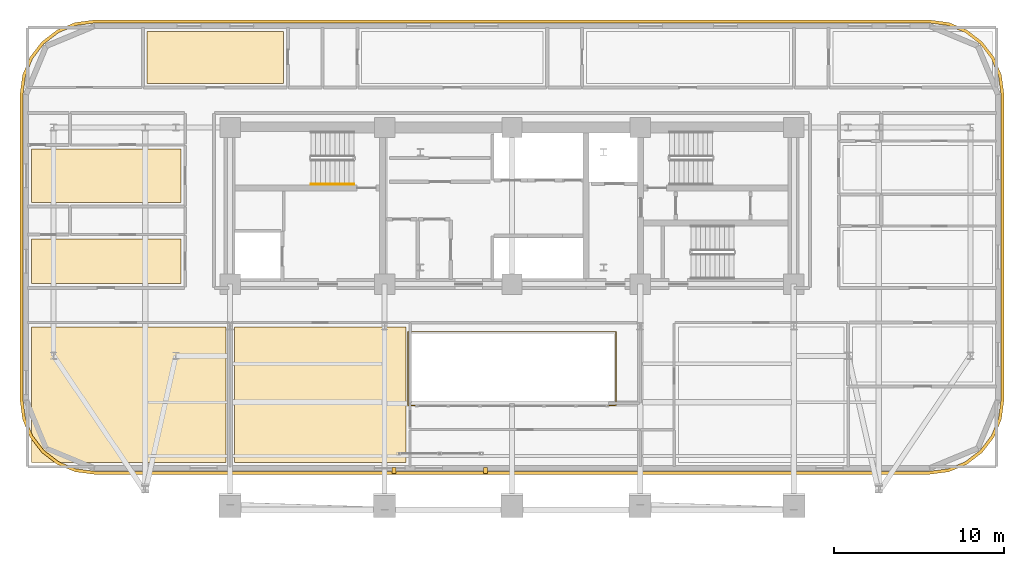
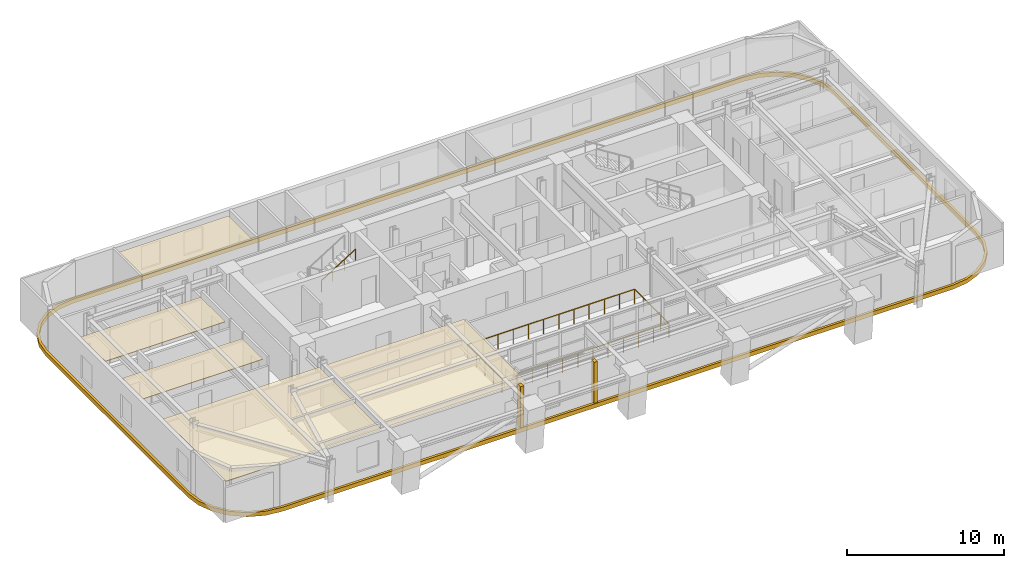
# One storey, part 13 of 15: 8 coverings, 2 railings.
"""IFC4 building model written with IfcOpenShell, lengths in metres."""

import ifcopenshell
import ifcopenshell.guid

model = None  # the IFC model being written
_history = None  # IfcOwnerHistory: only IFC2X3 demands one
_inside = {}  # id of a spatial element -> (the spatial element, [elements in it])
_under = {}  # id of a project, library or spatial element -> (it, [spatial elements below it])
_declared = {}  # id of a project -> (the project, [libraries it declares])
_typed = {}  # id of a type object -> (the type object, [elements of that type])
_made_of = {}  # id of a material, layer set ... -> (it, [elements and type objects made of it])


def new_model(schema):
    """Start an empty IFC model of exactly this schema.

    Asked for "IFC4X3", IfcOpenShell would pick the latest addendum, in which some entities
    have other attributes; the version numbers below select the first issue.
    IFC2X3 requires an IfcOwnerHistory on every rooted entity: one is made here for all.
    """
    global model, _history
    if schema == "IFC4X3":
        model = ifcopenshell.file(schema_version=(4, 3, 0, 0))
    else:
        model = ifcopenshell.file(schema=schema)
    _inside.clear()
    _under.clear()
    _declared.clear()
    _typed.clear()
    _made_of.clear()
    _history = None
    if model.schema == "IFC2X3":
        org = make("IfcOrganization", Name="unknown")
        user = make(
            "IfcPersonAndOrganization",
            ThePerson=make("IfcPerson", FamilyName="unknown"),
            TheOrganization=org,
        )
        app = make(
            "IfcApplication",
            ApplicationDeveloper=org,
            Version="unknown",
            ApplicationFullName="unknown",
            ApplicationIdentifier="unknown",
        )
        _history = make(
            "IfcOwnerHistory",
            OwningUser=user,
            OwningApplication=app,
            ChangeAction="ADDED",
            CreationDate=0,
        )
    return model


def make(cls, **values):
    """One entity of the class cls with the attributes given. An attribute that is None is left unset."""
    return model.create_entity(
        cls, **{name: value for name, value in values.items() if value is not None}
    )


def rooted(cls, **values):
    """An entity with a GlobalId (a new one), such as an element, a storey or a relation."""
    return make(cls, GlobalId=ifcopenshell.guid.new(), OwnerHistory=_history, **values)


def si_unit(unit_type, name, prefix=None):
    """IfcSIUnit, for example si_unit("LENGTHUNIT", "METRE", prefix="MILLI")."""
    return make("IfcSIUnit", UnitType=unit_type, Prefix=prefix, Name=name)


def assignment(units):
    """IfcUnitAssignment: the units of a project."""
    return None if units is None else make("IfcUnitAssignment", Units=units)


def point(xyz):
    """IfcCartesianPoint."""
    return None if xyz is None else make("IfcCartesianPoint", Coordinates=xyz)


def direction(xyz):
    """IfcDirection."""
    return None if xyz is None else make("IfcDirection", DirectionRatios=xyz)


def frame(location, z_axis=None, x_axis=None):
    """IfcAxis2Placement3D, a coordinate frame: its origin and axes. An axis left out is left unset."""
    return make(
        "IfcAxis2Placement3D",
        Location=point(location),
        Axis=direction(z_axis),
        RefDirection=direction(x_axis),
    )


def frame_2d(location, x_axis=None):
    """IfcAxis2Placement2D, a coordinate frame in the plane: its origin and x axis."""
    return make(
        "IfcAxis2Placement2D", Location=point(location), RefDirection=direction(x_axis)
    )


def origin():
    """The frame at (0, 0, 0) with its axes left unset."""
    return frame((0.0, 0.0, 0.0))


def origin_2d():
    """The frame at (0, 0) in the plane with its x axis left unset."""
    return frame_2d((0.0, 0.0))


def place(relative_to, where):
    """IfcLocalPlacement: puts the frame where relative to a parent placement (None: the world)."""
    return make(
        "IfcLocalPlacement", PlacementRelTo=relative_to, RelativePlacement=where
    )


def context(
    kind, dimensions, precision=None, world=None, true_north=None, identifier=None
):
    """IfcGeometricRepresentationContext, for example the 3D "Model" context."""
    return make(
        "IfcGeometricRepresentationContext",
        ContextIdentifier=identifier,
        ContextType=kind,
        CoordinateSpaceDimension=dimensions,
        Precision=precision,
        WorldCoordinateSystem=world,
        TrueNorth=true_north,
    )


def subcontext(parent, identifier, kind, view, scale=None):
    """IfcGeometricRepresentationSubContext, for example "Body" below "Model"."""
    return make(
        "IfcGeometricRepresentationSubContext",
        ContextIdentifier=identifier,
        ContextType=kind,
        ParentContext=parent,
        TargetScale=scale,
        TargetView=view,
    )


def project(units=None, contexts=None):
    """IfcProject with its units and contexts."""
    return rooted(
        "IfcProject",
        Name="project",
        RepresentationContexts=contexts,
        UnitsInContext=assignment(units),
    )


def spatial(cls, under=None, at=None, **own):
    """A site, building, storey or space (cls), placed at a placement, below another one or the project."""
    s = rooted(cls, ObjectPlacement=at, **own)
    if under is not None:
        _under.setdefault(under.id(), (under, []))[1].append(s)
    return s


def polyline(points):
    """IfcPolyline through the points."""
    return make("IfcPolyline", Points=[point(p) for p in points])


def profile(cls, at=None, kind="AREA", **sizes):
    """A parametric profile (cls). Its sizes go by their IFC names, for example OverallWidth=200.0."""
    return make(cls, ProfileType=kind, Position=at, **sizes)


def rectangle(**sizes):
    """IfcRectangleProfileDef."""
    return profile("IfcRectangleProfileDef", **sizes)


def outline(outer, holes=None, kind="AREA"):
    """IfcArbitraryClosedProfileDef: a profile drawn as a closed curve; with holes, ...WithVoids."""
    if holes is None:
        return make("IfcArbitraryClosedProfileDef", ProfileType=kind, OuterCurve=outer)
    return make(
        "IfcArbitraryProfileDefWithVoids",
        ProfileType=kind,
        OuterCurve=outer,
        InnerCurves=holes,
    )


def extrude(swept, where, along, depth):
    """IfcExtrudedAreaSolid: the profile swept, set in the frame where, extruded along a direction by depth."""
    return make(
        "IfcExtrudedAreaSolid",
        SweptArea=swept,
        Position=where,
        ExtrudedDirection=direction(along),
        Depth=depth,
    )


def shape(context_of_items, identifier, shape_type, items):
    """IfcShapeRepresentation: the items that make up one representation, for example the "Body"."""
    return make(
        "IfcShapeRepresentation",
        ContextOfItems=context_of_items,
        RepresentationIdentifier=identifier,
        RepresentationType=shape_type,
        Items=items,
    )


def material(Name=None, Category=None):
    """IfcMaterial."""
    return make("IfcMaterial", Name=Name, Category=Category)


def layer(
    of_material, thickness, ventilated=None, Name=None, Category=None, Priority=None
):
    """IfcMaterialLayer: one layer of a wall or slab, of a material (None: an air gap)."""
    return make(
        "IfcMaterialLayer",
        Material=of_material,
        LayerThickness=thickness,
        IsVentilated=ventilated,
        Name=Name,
        Category=Category,
        Priority=Priority,
    )


def layer_set(layers, Name=None):
    """IfcMaterialLayerSet."""
    return make("IfcMaterialLayerSet", MaterialLayers=layers, LayerSetName=Name)


def made_of(thing, what):
    """Note that an element or type object is made of a material, layer set ...; save() writes the relation."""
    if what is not None:
        _made_of.setdefault(what.id(), (what, []))[1].append(thing)
    return thing


def type_object(cls, material=None, **own):
    """A type object (cls), such as IfcWallType, which elements share."""
    return made_of(rooted(cls, **own), material)


def element(
    cls,
    number,
    at=None,
    inside=None,
    cuts=None,
    type_object=None,
    material=None,
    context=None,
    identifier="Body",
    shape_type=None,
    held_by="IfcProductDefinitionShape",
    body=None,
    shapes=None,
    **own,
):
    """One element of the class cls, such as IfcWall. Its Tag is "e" and its number.

    at: its placement. inside: the storey or other place that contains it. cuts: it is an
    opening in that element (IfcRelVoidsElement). A single representation is given by context,
    identifier, shape_type and body (its items); several are given by shapes. held_by: the class
    of the entity that holds the representations. save() writes the other relations.
    """
    e = rooted(cls, Tag="e%d" % number, ObjectPlacement=at, **own)
    if body is not None:
        shapes = [shape(context, identifier, shape_type, body)]
    if shapes is not None:
        e.Representation = make(held_by, Representations=shapes)
    if inside is not None:
        _inside.setdefault(inside.id(), (inside, []))[1].append(e)
    if cuts is not None:
        rooted(
            "IfcRelVoidsElement", RelatingBuildingElement=cuts, RelatedOpeningElement=e
        )
    if type_object is not None:
        _typed.setdefault(type_object.id(), (type_object, []))[1].append(e)
    return made_of(e, material)


def aggregate(whole, parts):
    """IfcRelAggregates: a whole, such as a stair, and the parts it consists of."""
    return rooted("IfcRelAggregates", RelatingObject=whole, RelatedObjects=parts)


def save(model, path):
    """Write the relations noted so far, then the file.

    IfcRelAggregates (storeys below a building ...), IfcRelContainedInSpatialStructure (elements
    in a storey), IfcRelDefinesByType, IfcRelAssociatesMaterial and IfcRelDeclares: one each for
    every whole, place, type object, material and project.
    """
    for whole, parts in _under.values():
        aggregate(whole, parts)
    for where, things in _inside.values():
        rooted(
            "IfcRelContainedInSpatialStructure",
            RelatedElements=things,
            RelatingStructure=where,
        )
    for kind, things in _typed.values():
        rooted("IfcRelDefinesByType", RelatedObjects=things, RelatingType=kind)
    for what, things in _made_of.values():
        rooted("IfcRelAssociatesMaterial", RelatedObjects=things, RelatingMaterial=what)
    for by, libraries in _declared.values():
        rooted("IfcRelDeclares", RelatingContext=by, RelatedDefinitions=libraries)
    model.write(path)


model = new_model("IFC4")

# Units and contexts
model_context = context("Model", 3, precision=1e-05, world=origin(), true_north=direction((0.0, 1.0)))
body_context = subcontext(model_context, "Body", "Model", "MODEL_VIEW")
ifc_project = project(units=[si_unit("LENGTHUNIT", "METRE"), si_unit("AREAUNIT", "SQUARE_METRE"), si_unit("VOLUMEUNIT", "CUBIC_METRE"), si_unit("PLANEANGLEUNIT", "RADIAN"), si_unit("MASSUNIT", "GRAM", prefix="KILO")], contexts=[model_context])

# Site, building, storey
site_placement = place(None, origin())
site = spatial("IfcSite", under=ifc_project, at=site_placement, CompositionType="ELEMENT")
building_placement = place(site_placement, origin())
building = spatial("IfcBuilding", under=site, at=building_placement, Name="Zarnavel Station Tower", CompositionType="ELEMENT")
storey_placement = place(building_placement, frame((0.0, 0.0, 125.800048828125)))
storey = spatial("IfcBuildingStorey", under=building, at=storey_placement, Name="L34", CompositionType="ELEMENT", Elevation=125.800048828125)

# Coverings
ifc_material_1 = material(Name="Perforated Gypsum and Mineral-Wool Acoustic Ceiling", Category="concrete")
ifc_layer = layer(ifc_material_1, 0.0400390625)
ifc_layer_set = layer_set([ifc_layer], Name="COV_CEIL_ACOUSTIC")
covering_type_1 = type_object("IfcCoveringType", Name="COV_CEIL_ACOUSTIC", PredefinedType="CEILING", material=ifc_layer_set)
covering_1_placement = place(storey_placement, frame((0.0, 0.0, 2.919921875)))
element("IfcCovering", 1, at=covering_1_placement, inside=storey, type_object=covering_type_1, Name="L34 FNW1R Acoustic Ceiling", PredefinedType="CEILING", context=body_context, shape_type="SweptSolid", body=[
    extrude(outline(polyline([(0.510009765625, 27.85009765625), (9.300048828125, 27.85009765625), (9.300048828125, 30.490966796875), (0.510009765625, 30.490966796875), (0.510009765625, 27.85009765625)])), origin(), (0.0, 0.0, 1.0), 0.0400390625),
])
covering_2_placement = place(storey_placement, frame((0.0, 0.0, 2.919921875)))
element("IfcCovering", 2, at=covering_2_placement, inside=storey, type_object=covering_type_1, Name="L34 FNW2R Acoustic Ceiling", PredefinedType="CEILING", context=body_context, shape_type="SweptSolid", body=[
    extrude(outline(polyline([(0.510009765625, 32.64111328125), (9.300048828125, 32.64111328125), (9.300048828125, 35.777099609375), (0.510009765625, 35.777099609375), (0.510009765625, 32.64111328125)])), origin(), (0.0, 0.0, 1.0), 0.0400390625),
])
covering_3_placement = place(storey_placement, frame((0.0, 0.0, 2.919921875)))
element("IfcCovering", 3, at=covering_3_placement, inside=storey, type_object=covering_type_1, Name="L34 HN1R Acoustic Ceiling", PredefinedType="CEILING", context=body_context, shape_type="SweptSolid", body=[
    extrude(outline(polyline([(7.31005859375, 39.64990234375), (15.344970703125, 39.64990234375), (15.344970703125, 42.68994140625), (7.31005859375, 42.68994140625), (7.31005859375, 39.64990234375)])), origin(), (0.0, 0.0, 1.0), 0.0400390625),
])
covering_4_placement = place(storey_placement, frame((0.0, 0.0, 2.919921875)))
element("IfcCovering", 4, at=covering_4_placement, inside=storey, type_object=covering_type_1, Name="L34 L33SPA Acoustic Ceiling", PredefinedType="CEILING", context=body_context, shape_type="SweptSolid", body=[
    extrude(outline(polyline([(0.510009765625, 17.31005859375), (11.949951171875, 17.31005859375), (11.949951171875, 25.300048828125), (0.510009765625, 25.300048828125), (0.510009765625, 17.31005859375)])), origin(), (0.0, 0.0, 1.0), 0.0400390625),
])
covering_5_placement = place(storey_placement, frame((0.0, 0.0, 2.919921875)))
element("IfcCovering", 5, at=covering_5_placement, inside=storey, type_object=covering_type_1, Name="L34 L33TRM Acoustic Ceiling", PredefinedType="CEILING", context=body_context, shape_type="SweptSolid", body=[
    extrude(outline(polyline([(12.449951171875, 17.31005859375), (22.550048828125, 17.31005859375), (22.550048828125, 25.300048828125), (12.449951171875, 25.300048828125), (12.449951171875, 17.31005859375)])), origin(), (0.0, 0.0, 1.0), 0.0400390625),
])
ifc_material_2 = material(Name="Precast concrete C45/55 (Pale Travertine Slab Band)", Category="masonry")
covering_type_2 = type_object("IfcCoveringType", Name="COV_TRAVERTINE_BAND", PredefinedType="CLADDING", material=ifc_material_2)
covering_6_placement = place(storey_placement, frame((0.0, 0.0, -0.260009765625)))
element("IfcCovering", 6, at=covering_6_placement, inside=storey, type_object=covering_type_2, Name="L34 Pale Travertine Slab-Edge Band", PredefinedType="CLADDING", context=body_context, shape_type="SweptSolid", body=[
    extrude(outline(polyline([(53.39990234375, 16.6201171875), (54.53369140625, 16.769287109375), (55.590087890625, 17.206787109375), (56.4970703125, 17.90283203125), (57.193115234375, 18.81005859375), (57.630859375, 19.866455078125), (57.780029296875, 21.0), (57.780029296875, 39.0), (57.630859375, 40.133544921875), (57.193115234375, 41.18994140625), (56.4970703125, 42.09716796875), (55.590087890625, 42.793212890625), (54.53369140625, 43.230712890625), (53.39990234375, 43.3798828125), (4.199951171875, 43.3798828125), (3.06640625, 43.230712890625), (2.010009765625, 42.793212890625), (1.102783203125, 42.09716796875), (0.40673828125, 41.18994140625), (-0.03076171875, 40.133544921875), (-0.179931640625, 39.0), (-0.179931640625, 21.0), (-0.03076171875, 19.866455078125), (0.40673828125, 18.81005859375), (1.102783203125, 17.90283203125), (2.010009765625, 17.206787109375), (3.06640625, 16.769287109375), (4.199951171875, 16.6201171875), (53.39990234375, 16.6201171875)]), holes=[polyline([(53.39990234375, 16.800048828125), (54.487060546875, 16.943115234375), (55.5, 17.36279296875), (56.369873046875, 18.0302734375), (57.037353515625, 18.89990234375), (57.456787109375, 19.9130859375), (57.60009765625, 21.0), (57.60009765625, 39.0), (57.456787109375, 40.0869140625), (57.037353515625, 41.10009765625), (56.369873046875, 41.9697265625), (55.5, 42.63720703125), (54.487060546875, 43.056884765625), (53.39990234375, 43.199951171875), (4.199951171875, 43.199951171875), (3.113037109375, 43.056884765625), (2.10009765625, 42.63720703125), (1.230224609375, 41.9697265625), (0.562744140625, 41.10009765625), (0.14306640625, 40.0869140625), (0.0, 39.0), (0.0, 21.0), (0.14306640625, 19.9130859375), (0.562744140625, 18.89990234375), (1.230224609375, 18.0302734375), (2.10009765625, 17.36279296875), (3.113037109375, 16.943115234375), (4.199951171875, 16.800048828125), (53.39990234375, 16.800048828125)])]), origin(), (0.0, 0.0, 1.0), 0.320068359375),
])
for number, where, z_axis, x_axis, name in (
    (7, (21.85009765625, 16.85009765625, 0.0), (0.0, 0.0, 1.0), (1.0, 0.0, 0.0), "L34 Travertine Portal Loggia Vertical Jog West"),
    (8, (27.25, 16.85009765625, 0.0), (0.0, 0.0, 1.0), (1.0, 0.0, 0.0), "L34 Travertine Portal Loggia Vertical Jog East"),
):
    element("IfcCovering", number, at=place(storey_placement, frame(where, z_axis=z_axis, x_axis=x_axis)), inside=storey, type_object=covering_type_2, Name=name, PredefinedType="CLADDING", context=body_context, shape_type="SweptSolid", body=[
        extrude(rectangle(XDim=0.239990234375, YDim=0.360107421875, at=origin_2d()), origin(), (0.0, 0.0, 1.0), 3.239990234375),
    ])

# Railings
ifc_material_3 = material(Name="Painted Steel S355J2 Balustrade", Category="steel")
railing_type_1 = type_object("IfcRailingType", Name="GR_INT_1150", PredefinedType="GUARDRAIL", material=ifc_material_3)
railing_1_placement = place(storey_placement, frame((22.679931640625, 20.679931640625, 0.0)))
element("IfcRailing", 9, at=railing_1_placement, inside=storey, type_object=railing_type_1, Name="L34 Atrium Void Guardrail", PredefinedType="GUARDRAIL", context=body_context, shape_type="SweptSolid", body=[
    extrude(rectangle(XDim=0.048095703125, YDim=0.048095703125, at=origin_2d()), frame((0.001953125, 0.0, 1.1259765625), z_axis=(1.0, 0.0, 0.0), x_axis=(0.0, 1.0, 0.0)), (0.0, 0.0, 1.0), 12.236083984375),
    extrude(rectangle(XDim=0.048095703125, YDim=0.048095703125, at=origin_2d()), frame((12.239990234375, 0.001953125, 1.1259765625), z_axis=(0.0, 1.0, 0.0), x_axis=(-1.0, 0.0, 0.0)), (0.0, 0.0, 1.0), 4.336181640625),
    extrude(rectangle(XDim=0.048095703125, YDim=0.048095703125, at=origin_2d()), frame((12.238037109375, 4.340087890625, 1.1259765625), z_axis=(-1.0, 0.0, 0.0), x_axis=(0.0, -1.0, 0.0)), (0.0, 0.0, 1.0), 12.236083984375),
    extrude(rectangle(XDim=0.048095703125, YDim=0.048095703125, at=origin_2d()), frame((0.0, 4.338134765625, 1.1259765625), z_axis=(0.0, -1.0, 0.0), x_axis=(1.0, 0.0, 0.0)), (0.0, 0.0, 1.0), 4.336181640625),
    extrude(rectangle(XDim=0.0419921875, YDim=0.0419921875, at=origin_2d()), origin(), (0.0, 0.0, 1.0), 1.101806640625),
    extrude(rectangle(XDim=0.0419921875, YDim=0.0419921875, at=origin_2d()), frame((1.11279296875, 0.0, 0.0)), (0.0, 0.0, 1.0), 1.101806640625),
    extrude(rectangle(XDim=0.0419921875, YDim=0.0419921875, at=origin_2d()), frame((2.225341796875, 0.0, 0.0)), (0.0, 0.0, 1.0), 1.101806640625),
    extrude(rectangle(XDim=0.0419921875, YDim=0.0419921875, at=origin_2d()), frame((3.338134765625, 0.0, 0.0)), (0.0, 0.0, 1.0), 1.101806640625),
    extrude(rectangle(XDim=0.0419921875, YDim=0.0419921875, at=origin_2d()), frame((4.450927734375, 0.0, 0.0)), (0.0, 0.0, 1.0), 1.101806640625),
    extrude(rectangle(XDim=0.0419921875, YDim=0.0419921875, at=origin_2d()), frame((5.563720703125, 0.0, 0.0)), (0.0, 0.0, 1.0), 1.101806640625),
    extrude(rectangle(XDim=0.0419921875, YDim=0.0419921875, at=origin_2d()), frame((6.67626953125, 0.0, 0.0)), (0.0, 0.0, 1.0), 1.101806640625),
    extrude(rectangle(XDim=0.0419921875, YDim=0.0419921875, at=origin_2d()), frame((7.7890625, 0.0, 0.0)), (0.0, 0.0, 1.0), 1.101806640625),
    extrude(rectangle(XDim=0.0419921875, YDim=0.0419921875, at=origin_2d()), frame((8.90185546875, 0.0, 0.0)), (0.0, 0.0, 1.0), 1.101806640625),
    extrude(rectangle(XDim=0.0419921875, YDim=0.0419921875, at=origin_2d()), frame((10.0146484375, 0.0, 0.0)), (0.0, 0.0, 1.0), 1.101806640625),
    extrude(rectangle(XDim=0.0419921875, YDim=0.0419921875, at=origin_2d()), frame((11.127197265625, 0.0, 0.0)), (0.0, 0.0, 1.0), 1.101806640625),
    extrude(rectangle(XDim=0.0419921875, YDim=0.0419921875, at=origin_2d()), frame((12.239990234375, 0.0, 0.0)), (0.0, 0.0, 1.0), 1.101806640625),
    extrude(rectangle(XDim=0.0419921875, YDim=0.0419921875, at=origin_2d()), frame((12.239990234375, 1.0849609375, 0.0)), (0.0, 0.0, 1.0), 1.101806640625),
    extrude(rectangle(XDim=0.0419921875, YDim=0.0419921875, at=origin_2d()), frame((12.239990234375, 2.169921875, 0.0)), (0.0, 0.0, 1.0), 1.101806640625),
    extrude(rectangle(XDim=0.0419921875, YDim=0.0419921875, at=origin_2d()), frame((12.239990234375, 3.255126953125, 0.0)), (0.0, 0.0, 1.0), 1.101806640625),
    extrude(rectangle(XDim=0.0419921875, YDim=0.0419921875, at=origin_2d()), frame((12.239990234375, 4.340087890625, 0.0)), (0.0, 0.0, 1.0), 1.101806640625),
    extrude(rectangle(XDim=0.0419921875, YDim=0.0419921875, at=origin_2d()), frame((11.127197265625, 4.340087890625, 0.0)), (0.0, 0.0, 1.0), 1.101806640625),
    extrude(rectangle(XDim=0.0419921875, YDim=0.0419921875, at=origin_2d()), frame((10.0146484375, 4.340087890625, 0.0)), (0.0, 0.0, 1.0), 1.101806640625),
    extrude(rectangle(XDim=0.0419921875, YDim=0.0419921875, at=origin_2d()), frame((8.90185546875, 4.340087890625, 0.0)), (0.0, 0.0, 1.0), 1.101806640625),
    extrude(rectangle(XDim=0.0419921875, YDim=0.0419921875, at=origin_2d()), frame((7.7890625, 4.340087890625, 0.0)), (0.0, 0.0, 1.0), 1.101806640625),
    extrude(rectangle(XDim=0.0419921875, YDim=0.0419921875, at=origin_2d()), frame((6.67626953125, 4.340087890625, 0.0)), (0.0, 0.0, 1.0), 1.101806640625),
    extrude(rectangle(XDim=0.0419921875, YDim=0.0419921875, at=origin_2d()), frame((5.563720703125, 4.340087890625, 0.0)), (0.0, 0.0, 1.0), 1.101806640625),
    extrude(rectangle(XDim=0.0419921875, YDim=0.0419921875, at=origin_2d()), frame((4.450927734375, 4.340087890625, 0.0)), (0.0, 0.0, 1.0), 1.101806640625),
    extrude(rectangle(XDim=0.0419921875, YDim=0.0419921875, at=origin_2d()), frame((3.338134765625, 4.340087890625, 0.0)), (0.0, 0.0, 1.0), 1.101806640625),
    extrude(rectangle(XDim=0.0419921875, YDim=0.0419921875, at=origin_2d()), frame((2.225341796875, 4.340087890625, 0.0)), (0.0, 0.0, 1.0), 1.101806640625),
    extrude(rectangle(XDim=0.0419921875, YDim=0.0419921875, at=origin_2d()), frame((1.11279296875, 4.340087890625, 0.0)), (0.0, 0.0, 1.0), 1.101806640625),
    extrude(rectangle(XDim=0.0419921875, YDim=0.0419921875, at=origin_2d()), frame((0.0, 4.340087890625, 0.0)), (0.0, 0.0, 1.0), 1.101806640625),
    extrude(rectangle(XDim=0.0419921875, YDim=0.0419921875, at=origin_2d()), frame((0.0, 3.255126953125, 0.0)), (0.0, 0.0, 1.0), 1.101806640625),
    extrude(rectangle(XDim=0.0419921875, YDim=0.0419921875, at=origin_2d()), frame((0.0, 2.169921875, 0.0)), (0.0, 0.0, 1.0), 1.101806640625),
    extrude(rectangle(XDim=0.0419921875, YDim=0.0419921875, at=origin_2d()), frame((0.0, 1.0849609375, 0.0)), (0.0, 0.0, 1.0), 1.101806640625),
])
ifc_material_4 = material(Name="Brushed Stainless Steel S355J2 Handrail", Category="steel")
railing_type_2 = type_object("IfcRailingType", Name="HR_STAIR_900", PredefinedType="HANDRAIL", material=ifc_material_4)
railing_2_placement = place(storey_placement, frame((16.9599609375, 33.7099609375, 1.925048828125)))
element("IfcRailing", 10, at=railing_2_placement, inside=storey, type_object=railing_type_2, Name="L34 ST1 stair handrail 2", PredefinedType="HANDRAIL", context=body_context, shape_type="SweptSolid", body=[
    extrude(rectangle(XDim=0.048095703125, YDim=0.048095703125, at=origin_2d()), frame((0.001708984375, 0.0, 0.876953125), z_axis=(0.848007534815, 0.0, 0.529984170421), x_axis=(0.0, 1.0, 0.0)), (0.0, 0.0, 1.0), 2.9677734375),
    extrude(rectangle(XDim=0.0419921875, YDim=0.0419921875, at=origin_2d()), origin(), (0.0, 0.0, 1.0), 0.851806640625),
    extrude(rectangle(XDim=0.0419921875, YDim=0.0419921875, at=origin_2d()), frame((0.840087890625, 0.0, 0.52490234375)), (0.0, 0.0, 1.0), 0.851806640625),
    extrude(rectangle(XDim=0.0419921875, YDim=0.0419921875, at=origin_2d()), frame((1.679931640625, 0.0, 1.050048828125)), (0.0, 0.0, 1.0), 0.851806640625),
    extrude(rectangle(XDim=0.0419921875, YDim=0.0419921875, at=origin_2d()), frame((2.52001953125, 0.0, 1.574951171875)), (0.0, 0.0, 1.0), 0.851806640625),
])

save(model, "model.ifc")
